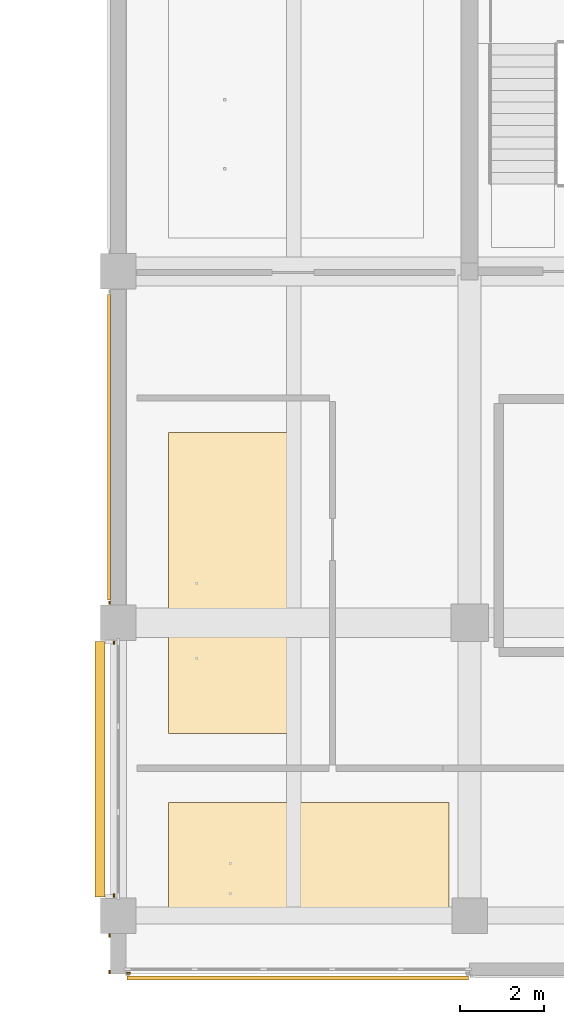
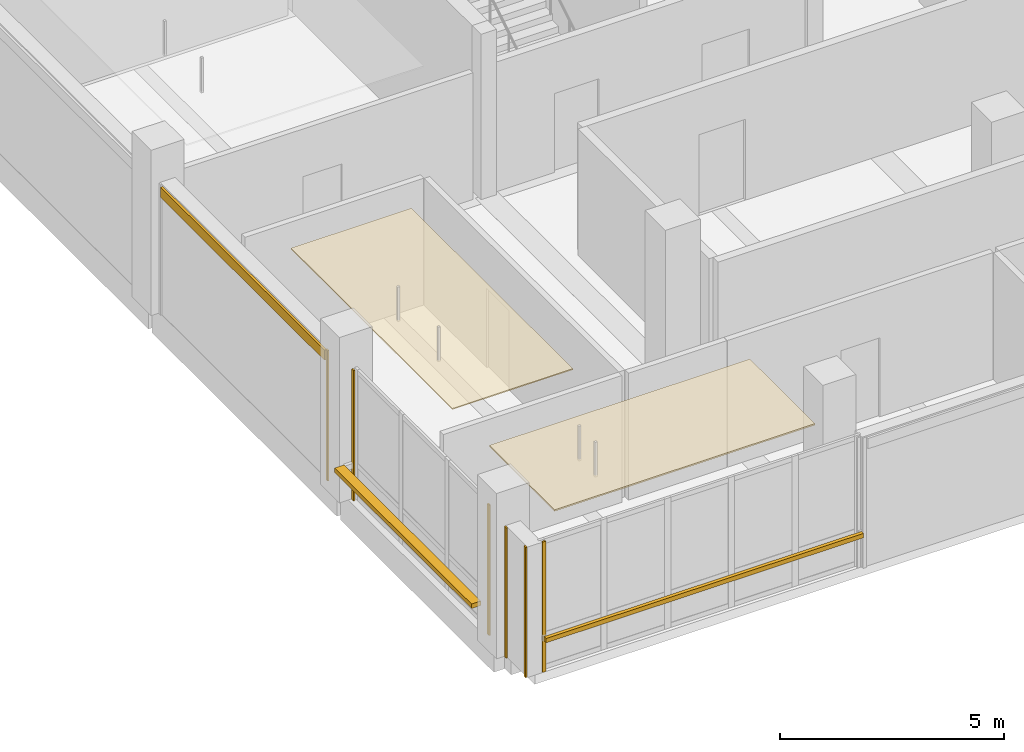
# One storey, part 26 of 39: 9 coverings, 2 shading devices.
"""IFC4 building model written with IfcOpenShell, lengths in metres."""

import ifcopenshell
import ifcopenshell.guid

model = None  # the IFC model being written
_history = None  # IfcOwnerHistory: only IFC2X3 demands one
_inside = {}  # id of a spatial element -> (the spatial element, [elements in it])
_under = {}  # id of a project, library or spatial element -> (it, [spatial elements below it])
_declared = {}  # id of a project -> (the project, [libraries it declares])
_typed = {}  # id of a type object -> (the type object, [elements of that type])
_made_of = {}  # id of a material, layer set ... -> (it, [elements and type objects made of it])


def new_model(schema):
    """Start an empty IFC model of exactly this schema.

    Asked for "IFC4X3", IfcOpenShell would pick the latest addendum, in which some entities
    have other attributes; the version numbers below select the first issue.
    IFC2X3 requires an IfcOwnerHistory on every rooted entity: one is made here for all.
    """
    global model, _history
    if schema == "IFC4X3":
        model = ifcopenshell.file(schema_version=(4, 3, 0, 0))
    else:
        model = ifcopenshell.file(schema=schema)
    _inside.clear()
    _under.clear()
    _declared.clear()
    _typed.clear()
    _made_of.clear()
    _history = None
    if model.schema == "IFC2X3":
        org = make("IfcOrganization", Name="unknown")
        user = make(
            "IfcPersonAndOrganization",
            ThePerson=make("IfcPerson", FamilyName="unknown"),
            TheOrganization=org,
        )
        app = make(
            "IfcApplication",
            ApplicationDeveloper=org,
            Version="unknown",
            ApplicationFullName="unknown",
            ApplicationIdentifier="unknown",
        )
        _history = make(
            "IfcOwnerHistory",
            OwningUser=user,
            OwningApplication=app,
            ChangeAction="ADDED",
            CreationDate=0,
        )
    return model


def make(cls, **values):
    """One entity of the class cls with the attributes given. An attribute that is None is left unset."""
    return model.create_entity(
        cls, **{name: value for name, value in values.items() if value is not None}
    )


def rooted(cls, **values):
    """An entity with a GlobalId (a new one), such as an element, a storey or a relation."""
    return make(cls, GlobalId=ifcopenshell.guid.new(), OwnerHistory=_history, **values)


def si_unit(unit_type, name, prefix=None):
    """IfcSIUnit, for example si_unit("LENGTHUNIT", "METRE", prefix="MILLI")."""
    return make("IfcSIUnit", UnitType=unit_type, Prefix=prefix, Name=name)


def assignment(units):
    """IfcUnitAssignment: the units of a project."""
    return None if units is None else make("IfcUnitAssignment", Units=units)


def point(xyz):
    """IfcCartesianPoint."""
    return None if xyz is None else make("IfcCartesianPoint", Coordinates=xyz)


def direction(xyz):
    """IfcDirection."""
    return None if xyz is None else make("IfcDirection", DirectionRatios=xyz)


def frame(location, z_axis=None, x_axis=None):
    """IfcAxis2Placement3D, a coordinate frame: its origin and axes. An axis left out is left unset."""
    return make(
        "IfcAxis2Placement3D",
        Location=point(location),
        Axis=direction(z_axis),
        RefDirection=direction(x_axis),
    )


def frame_2d(location, x_axis=None):
    """IfcAxis2Placement2D, a coordinate frame in the plane: its origin and x axis."""
    return make(
        "IfcAxis2Placement2D", Location=point(location), RefDirection=direction(x_axis)
    )


def origin():
    """The frame at (0, 0, 0) with its axes left unset."""
    return frame((0.0, 0.0, 0.0))


def origin_2d():
    """The frame at (0, 0) in the plane with its x axis left unset."""
    return frame_2d((0.0, 0.0))


def place(relative_to, where):
    """IfcLocalPlacement: puts the frame where relative to a parent placement (None: the world)."""
    return make(
        "IfcLocalPlacement", PlacementRelTo=relative_to, RelativePlacement=where
    )


def context(
    kind, dimensions, precision=None, world=None, true_north=None, identifier=None
):
    """IfcGeometricRepresentationContext, for example the 3D "Model" context."""
    return make(
        "IfcGeometricRepresentationContext",
        ContextIdentifier=identifier,
        ContextType=kind,
        CoordinateSpaceDimension=dimensions,
        Precision=precision,
        WorldCoordinateSystem=world,
        TrueNorth=true_north,
    )


def subcontext(parent, identifier, kind, view, scale=None):
    """IfcGeometricRepresentationSubContext, for example "Body" below "Model"."""
    return make(
        "IfcGeometricRepresentationSubContext",
        ContextIdentifier=identifier,
        ContextType=kind,
        ParentContext=parent,
        TargetScale=scale,
        TargetView=view,
    )


def project(units=None, contexts=None):
    """IfcProject with its units and contexts."""
    return rooted(
        "IfcProject",
        Name="project",
        RepresentationContexts=contexts,
        UnitsInContext=assignment(units),
    )


def spatial(cls, under=None, at=None, **own):
    """A site, building, storey or space (cls), placed at a placement, below another one or the project."""
    s = rooted(cls, ObjectPlacement=at, **own)
    if under is not None:
        _under.setdefault(under.id(), (under, []))[1].append(s)
    return s


def polyline(points):
    """IfcPolyline through the points."""
    return make("IfcPolyline", Points=[point(p) for p in points])


def profile(cls, at=None, kind="AREA", **sizes):
    """A parametric profile (cls). Its sizes go by their IFC names, for example OverallWidth=200.0."""
    return make(cls, ProfileType=kind, Position=at, **sizes)


def rectangle(**sizes):
    """IfcRectangleProfileDef."""
    return profile("IfcRectangleProfileDef", **sizes)


def outline(outer, holes=None, kind="AREA"):
    """IfcArbitraryClosedProfileDef: a profile drawn as a closed curve; with holes, ...WithVoids."""
    if holes is None:
        return make("IfcArbitraryClosedProfileDef", ProfileType=kind, OuterCurve=outer)
    return make(
        "IfcArbitraryProfileDefWithVoids",
        ProfileType=kind,
        OuterCurve=outer,
        InnerCurves=holes,
    )


def extrude(swept, where, along, depth):
    """IfcExtrudedAreaSolid: the profile swept, set in the frame where, extruded along a direction by depth."""
    return make(
        "IfcExtrudedAreaSolid",
        SweptArea=swept,
        Position=where,
        ExtrudedDirection=direction(along),
        Depth=depth,
    )


def shape(context_of_items, identifier, shape_type, items):
    """IfcShapeRepresentation: the items that make up one representation, for example the "Body"."""
    return make(
        "IfcShapeRepresentation",
        ContextOfItems=context_of_items,
        RepresentationIdentifier=identifier,
        RepresentationType=shape_type,
        Items=items,
    )


def material(Name=None, Category=None):
    """IfcMaterial."""
    return make("IfcMaterial", Name=Name, Category=Category)


def layer(
    of_material, thickness, ventilated=None, Name=None, Category=None, Priority=None
):
    """IfcMaterialLayer: one layer of a wall or slab, of a material (None: an air gap)."""
    return make(
        "IfcMaterialLayer",
        Material=of_material,
        LayerThickness=thickness,
        IsVentilated=ventilated,
        Name=Name,
        Category=Category,
        Priority=Priority,
    )


def layer_set(layers, Name=None):
    """IfcMaterialLayerSet."""
    return make("IfcMaterialLayerSet", MaterialLayers=layers, LayerSetName=Name)


def made_of(thing, what):
    """Note that an element or type object is made of a material, layer set ...; save() writes the relation."""
    if what is not None:
        _made_of.setdefault(what.id(), (what, []))[1].append(thing)
    return thing


def type_object(cls, material=None, **own):
    """A type object (cls), such as IfcWallType, which elements share."""
    return made_of(rooted(cls, **own), material)


def element(
    cls,
    number,
    at=None,
    inside=None,
    cuts=None,
    type_object=None,
    material=None,
    context=None,
    identifier="Body",
    shape_type=None,
    held_by="IfcProductDefinitionShape",
    body=None,
    shapes=None,
    **own,
):
    """One element of the class cls, such as IfcWall. Its Tag is "e" and its number.

    at: its placement. inside: the storey or other place that contains it. cuts: it is an
    opening in that element (IfcRelVoidsElement). A single representation is given by context,
    identifier, shape_type and body (its items); several are given by shapes. held_by: the class
    of the entity that holds the representations. save() writes the other relations.
    """
    e = rooted(cls, Tag="e%d" % number, ObjectPlacement=at, **own)
    if body is not None:
        shapes = [shape(context, identifier, shape_type, body)]
    if shapes is not None:
        e.Representation = make(held_by, Representations=shapes)
    if inside is not None:
        _inside.setdefault(inside.id(), (inside, []))[1].append(e)
    if cuts is not None:
        rooted(
            "IfcRelVoidsElement", RelatingBuildingElement=cuts, RelatedOpeningElement=e
        )
    if type_object is not None:
        _typed.setdefault(type_object.id(), (type_object, []))[1].append(e)
    return made_of(e, material)


def aggregate(whole, parts):
    """IfcRelAggregates: a whole, such as a stair, and the parts it consists of."""
    return rooted("IfcRelAggregates", RelatingObject=whole, RelatedObjects=parts)


def save(model, path):
    """Write the relations noted so far, then the file.

    IfcRelAggregates (storeys below a building ...), IfcRelContainedInSpatialStructure (elements
    in a storey), IfcRelDefinesByType, IfcRelAssociatesMaterial and IfcRelDeclares: one each for
    every whole, place, type object, material and project.
    """
    for whole, parts in _under.values():
        aggregate(whole, parts)
    for where, things in _inside.values():
        rooted(
            "IfcRelContainedInSpatialStructure",
            RelatedElements=things,
            RelatingStructure=where,
        )
    for kind, things in _typed.values():
        rooted("IfcRelDefinesByType", RelatedObjects=things, RelatingType=kind)
    for what, things in _made_of.values():
        rooted("IfcRelAssociatesMaterial", RelatedObjects=things, RelatingMaterial=what)
    for by, libraries in _declared.values():
        rooted("IfcRelDeclares", RelatingContext=by, RelatedDefinitions=libraries)
    model.write(path)


model = new_model("IFC4")

# Units and contexts
model_context = context("Model", 3, precision=1e-05, world=origin(), true_north=direction((0.0, 1.0)))
body_context = subcontext(model_context, "Body", "Model", "MODEL_VIEW")
ifc_project = project(units=[si_unit("LENGTHUNIT", "METRE"), si_unit("AREAUNIT", "SQUARE_METRE"), si_unit("VOLUMEUNIT", "CUBIC_METRE"), si_unit("PLANEANGLEUNIT", "RADIAN"), si_unit("MASSUNIT", "GRAM", prefix="KILO")], contexts=[model_context])

# Site, building, storey
site_placement = place(None, origin())
site = spatial("IfcSite", under=ifc_project, at=site_placement, CompositionType="ELEMENT")
building_placement = place(site_placement, origin())
building = spatial("IfcBuilding", under=site, at=building_placement, Name="Telukmera Botanical Conservatory", CompositionType="ELEMENT")
storey_placement = place(building_placement, frame((0.0, 0.0, 19.5)))
storey = spatial("IfcBuildingStorey", under=building, at=storey_placement, Name="L04", CompositionType="ELEMENT", Elevation=19.5)

# Coverings
ifc_material_1 = material(Name="Mineral fibre acoustic ceiling")
ifc_layer_1 = layer(ifc_material_1, 0.030029296875)
ifc_layer_set_1 = layer_set([ifc_layer_1], Name="Mineral fibre acoustic ceiling")
covering_type_1 = type_object("IfcCoveringType", Name="COV-CEIL-30", PredefinedType="CEILING", material=ifc_layer_set_1)
covering_1_placement = place(storey_placement, frame((0.0, 0.0, 3.320068359375)))
element("IfcCovering", 1, at=covering_1_placement, inside=storey, type_object=covering_type_1, Name="L04 West Herbarium Curation Studio Suspended Acoustic Ceiling", PredefinedType="CEILING", context=body_context, shape_type="SweptSolid", body=[
    extrude(outline(polyline([(51.60009765625, 14.949951171875), (54.699951171875, 14.949951171875), (54.699951171875, 22.14990234375), (51.60009765625, 22.14990234375), (51.60009765625, 14.949951171875)])), origin(), (0.0, 0.0, 1.0), 0.030029296875),
])
ifc_material_2 = material(Name="Perforated gypsum acoustic ceiling")
ifc_layer_2 = layer(ifc_material_2, 0.0400390625)
ifc_layer_set_2 = layer_set([ifc_layer_2], Name="Perforated gypsum acoustic ceiling")
covering_type_2 = type_object("IfcCoveringType", Name="COV-CEIL-40", PredefinedType="CEILING", material=ifc_layer_set_2)
covering_2_placement = place(storey_placement, frame((0.0, 0.0, 3.31005859375)))
element("IfcCovering", 2, at=covering_2_placement, inside=storey, type_object=covering_type_2, Name="L04 Herbarium Curation Studio Suspended Acoustic Ceiling", PredefinedType="CEILING", context=body_context, shape_type="SweptSolid", body=[
    extrude(outline(polyline([(51.60009765625, 10.39990234375), (58.304931640625, 10.39990234375), (58.304931640625, 13.300048828125), (51.60009765625, 13.300048828125), (51.60009765625, 10.39990234375)])), origin(), (0.0, 0.0, 1.0), 0.0400390625),
])
ifc_material_3 = material(Name="Granite-faced precast concrete C40/50", Category="masonry")
ifc_layer_3 = layer(ifc_material_3, 0.0400390625)
ifc_layer_set_3 = layer_set([ifc_layer_3], Name="Granite-faced precast concrete C40/50")
covering_type_3 = type_object("IfcCoveringType", Name="Granite Precast Column Pier Reveal Casing", PredefinedType="CLADDING", material=ifc_layer_set_3)
for number, where, z_axis, x_axis, name in (
    (3, (50.18994140625, 9.25, 0.0), (0.0, 0.0, 1.0), (0.0, 1.0, 0.0), "Granite Pier Reveal V4:L04:SWC L"),
    (4, (50.18994140625, 10.123046875, 0.0), (0.0, 0.0, 1.0), (0.0, 1.0, 0.0), "Granite Pier Reveal V4:L04:SWC R"),
    (5, (50.64208984375, 9.219970703125, 0.0), (0.0, 0.0, 1.0), (1.0, 0.0, 0.0), "Granite Pier Reveal V4:L04:S1 L"),
    (6, (50.300048828125, 11.076904296875, 0.0), (0.0, 0.0, 1.0), (0.0, 1.0, 0.0), "Granite Pier Reveal V4:L04:W1 L"),
    (7, (50.300048828125, 17.123046875, 0.0), (0.0, 0.0, 1.0), (0.0, 1.0, 0.0), "Granite Pier Reveal V4:L04:W1 R"),
    (8, (50.18994140625, 18.076904296875, 0.0), (0.0, 0.0, 1.0), (0.0, 1.0, 0.0), "Granite Pier Reveal V4:L04:W2 L"),
):
    element("IfcCovering", number, at=place(storey_placement, frame(where, z_axis=z_axis, x_axis=x_axis)), inside=storey, type_object=covering_type_3, Name=name, PredefinedType="CLADDING", context=body_context, shape_type="SweptSolid", body=[
        extrude(rectangle(XDim=0.080078125, YDim=0.0400390625, at=origin_2d()), origin(), (0.0, 0.0, 1.0), 3.550048828125),
    ])

# Shading devices
ifc_material_4 = material(Name="Perforated terracotta-anodised aluminium 6063-T6", Category="masonry")
ifc_layer_4 = layer(ifc_material_4, 0.044921875)
ifc_layer_set_4 = layer_set([ifc_layer_4], Name="Perforated terracotta-anodised aluminium 6063-T6")
shading_device_type = type_object("IfcShadingDeviceType", Name="Perforated Terracotta Aluminium Monsoon Brise Soleil", PredefinedType="JALOUSIE", material=ifc_layer_set_4)
shading_device_1_placement = place(storey_placement, frame((54.695068359375, 9.10498046875, 0.889892578125), z_axis=(0.0, 0.0, 1.0), x_axis=(1.0, 0.0, 0.0)))
element("IfcShadingDevice", 9, at=shading_device_1_placement, inside=storey, type_object=shading_device_type, Name="Monsoon Shading BS01 V4:L04:S1", PredefinedType="JALOUSIE", context=body_context, shape_type="SweptSolid", body=[
    extrude(rectangle(XDim=8.166015625, YDim=0.090087890625, at=origin_2d()), origin(), (0.0, 0.0, 1.0), 0.1201171875),
])
shading_device_2_placement = place(storey_placement, frame((49.9599609375, 14.10009765625, 0.889892578125), z_axis=(0.0, 0.0, 1.0), x_axis=(0.0, 1.0, 0.0)))
element("IfcShadingDevice", 10, at=shading_device_2_placement, inside=storey, type_object=shading_device_type, Name="Monsoon Shading BS01 V4:L04:W1", PredefinedType="JALOUSIE", context=body_context, shape_type="SweptSolid", body=[
    extrude(rectangle(XDim=6.10595703125, YDim=0.239990234375, at=origin_2d()), origin(), (0.0, 0.0, 1.0), 0.1201171875),
])

# Covering
ifc_material_5 = material(Name="Terracotta-faced precast concrete C40/50", Category="masonry")
ifc_layer_5 = layer(ifc_material_5, 0.06005859375)
ifc_layer_set_5 = layer_set([ifc_layer_5], Name="Terracotta-faced precast concrete C40/50")
covering_type_4 = type_object("IfcCoveringType", Name="Polychrome Terracotta Facade Band Cladding", PredefinedType="CLADDING", material=ifc_layer_set_5)
covering_3_placement = place(storey_placement, frame((50.179931640625, 21.800048828125, 3.22998046875), z_axis=(0.0, 0.0, 1.0), x_axis=(0.0, 1.0, 0.0)))
element("IfcCovering", 11, at=covering_3_placement, inside=storey, type_object=covering_type_4, Name="Polychrome Terracotta Band V4:L04:W2", PredefinedType="CLADDING", context=body_context, shape_type="SweptSolid", body=[
    extrude(rectangle(XDim=7.305908203125, YDim=0.06005859375, at=origin_2d()), origin(), (0.0, 0.0, 1.0), 0.280029296875),
])

save(model, "model.ifc")
